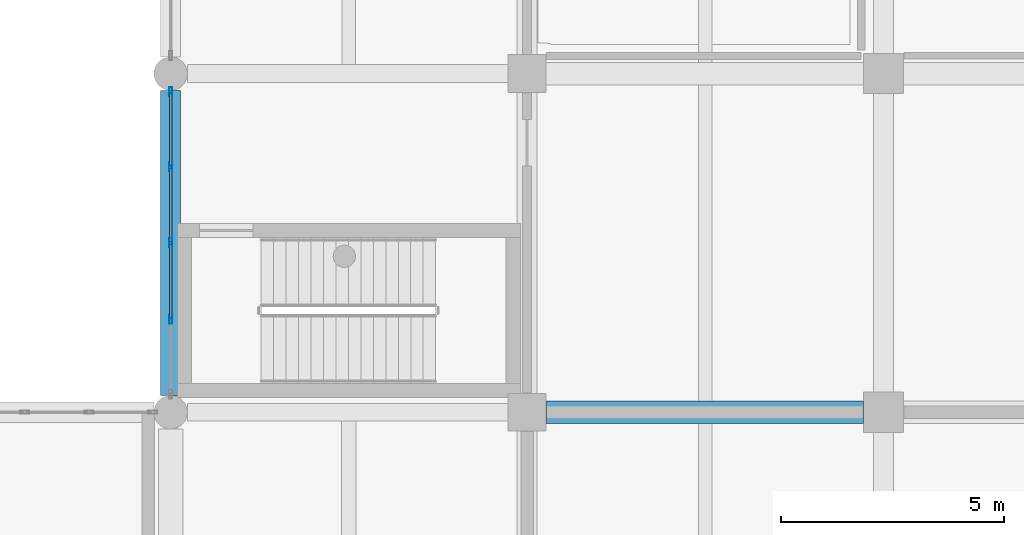
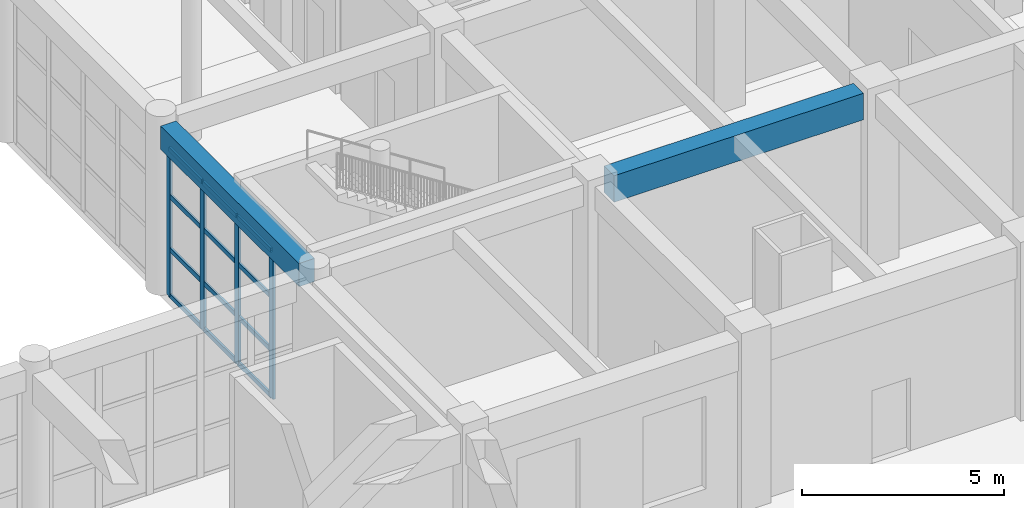
# One storey, part 22 of 95: 16 members, 2 beams, 1 element without a shape of its own.
"""IFC4 building model written with IfcOpenShell, lengths in metres."""

from ifc_helpers import new_model, si_unit, direction, frame, origin, origin_2d, place, context, subcontext, project, spatial, rectangle, hollow_rectangle, extrude, material, material_profile, profile_set, type_object, element, aggregate, save


model = new_model("IFC4")

# Units and contexts
model_context = context("Model", 3, precision=1e-05, world=origin(), true_north=direction((0.0, 1.0)))
body_context = subcontext(model_context, "Body", "Model", "MODEL_VIEW")
ifc_project = project(units=[si_unit("LENGTHUNIT", "METRE"), si_unit("AREAUNIT", "SQUARE_METRE"), si_unit("VOLUMEUNIT", "CUBIC_METRE"), si_unit("PLANEANGLEUNIT", "RADIAN"), si_unit("MASSUNIT", "GRAM", prefix="KILO")], contexts=[model_context])

# Site, building, storey
site_placement = place(None, origin())
site = spatial("IfcSite", under=ifc_project, at=site_placement, CompositionType="ELEMENT")
building_placement = place(site_placement, origin())
building = spatial("IfcBuilding", under=site, at=building_placement, Name="Zantavel Square City Hall", CompositionType="ELEMENT")
storey_placement = place(building_placement, origin())
storey = spatial("IfcBuildingStorey", under=building, at=storey_placement, Name="L01", CompositionType="ELEMENT", Elevation=0.0)

# Curtain wall, members
ifc_material_1 = material(Name="Anodised aluminium 6063-T6", Category="aluminium")
curtain_wall_type = type_object("IfcCurtainWallType", Name="Curtain Wall CRT 6850x4460", PredefinedType="USERDEFINED", material=ifc_material_1)
curtain_wall_placement = place(storey_placement, origin())
curtain_wall = element("IfcCurtainWall", 1, at=curtain_wall_placement, inside=storey, type_object=curtain_wall_type, Name="L01 Glazed Curtain Wall CW-L01-014", ObjectType="GLAZED CURTAIN WALL", PredefinedType="USERDEFINED")
ifc_material_profile_1 = material_profile(ifc_material_1, hollow_rectangle(XDim=0.070068359375, YDim=0.199951171875, WallThickness=0.00439453125, at=origin_2d()), Name="ALU 70x200x4.5")
ifc_profile_set_1 = profile_set([ifc_material_profile_1], Name="Anodised aluminium 6063-T6")
member_type_1 = type_object("IfcMemberType", Name="CW Heavy Hall Mullion ALU 70x200x4.5", PredefinedType="MULLION", material=ifc_profile_set_1)
member_1_placement = place(storey_placement, frame((48.0, 40.08740234375, 0.0), z_axis=(0.0, 0.0, 1.0), x_axis=(-1.0, 0.0, 0.0)))
member_1 = element("IfcMember", 2, at=member_1_placement, type_object=member_type_1, Name="CW-014 mullion 2", PredefinedType="MULLION", context=body_context, shape_type="SweptSolid", body=[
    extrude(hollow_rectangle(XDim=0.070068359375, YDim=0.199951171875, WallThickness=0.00439453125, at=origin_2d()), origin(), (0.0, 0.0, 1.0), 4.4599609375),
])
member_2_placement = place(storey_placement, frame((48.0, 41.800048828125, 0.0), z_axis=(0.0, 0.0, 1.0), x_axis=(-1.0, 0.0, 0.0)))
member_2 = element("IfcMember", 3, at=member_2_placement, type_object=member_type_1, Name="CW-014 mullion 3", PredefinedType="MULLION", context=body_context, shape_type="SweptSolid", body=[
    extrude(hollow_rectangle(XDim=0.070068359375, YDim=0.199951171875, WallThickness=0.00439453125, at=origin_2d()), origin(), (0.0, 0.0, 1.0), 4.4599609375),
])
member_3_placement = place(storey_placement, frame((48.0, 43.512451171875, 0.0), z_axis=(0.0, 0.0, 1.0), x_axis=(-1.0, 0.0, 0.0)))
member_3 = element("IfcMember", 4, at=member_3_placement, type_object=member_type_1, Name="CW-014 mullion 4", PredefinedType="MULLION", context=body_context, shape_type="SweptSolid", body=[
    extrude(hollow_rectangle(XDim=0.070068359375, YDim=0.199951171875, WallThickness=0.00439453125, at=origin_2d()), origin(), (0.0, 0.0, 1.0), 4.4599609375),
])
member_4_placement = place(storey_placement, frame((48.0, 45.195068359375, 0.0), z_axis=(0.0, 0.0, 1.0), x_axis=(-1.0, 0.0, 0.0)))
member_4 = element("IfcMember", 5, at=member_4_placement, type_object=member_type_1, Name="CW-014 mullion 5", PredefinedType="MULLION", context=body_context, shape_type="SweptSolid", body=[
    extrude(hollow_rectangle(XDim=0.070068359375, YDim=0.199951171875, WallThickness=0.00439453125, at=origin_2d()), origin(), (0.0, 0.0, 1.0), 4.4599609375),
])
ifc_material_profile_2 = material_profile(ifc_material_1, hollow_rectangle(XDim=0.06005859375, YDim=0.139892578125, WallThickness=0.00390625, at=origin_2d()), Name="ALU 60x140x4")
ifc_profile_set_2 = profile_set([ifc_material_profile_2], Name="Anodised aluminium 6063-T6")
member_type_2 = type_object("IfcMemberType", Name="CW Transom ALU 60x140x4", PredefinedType="USERDEFINED", material=ifc_profile_set_2)
member_5_placement = place(storey_placement, frame((48.0, 40.117431640625, 0.030029296875), z_axis=(0.0, 1.0, 0.0), x_axis=(-1.0, 0.0, 0.0)))
member_5 = element("IfcMember", 6, at=member_5_placement, type_object=member_type_2, Name="CW-014 transom 2.1", ObjectType="TRANSOM", PredefinedType="USERDEFINED", context=body_context, shape_type="SweptSolid", body=[
    extrude(hollow_rectangle(XDim=0.06005859375, YDim=0.139892578125, WallThickness=0.00390625, at=origin_2d()), origin(), (0.0, 0.0, 1.0), 1.652587890625),
])
member_6_placement = place(storey_placement, frame((48.0, 40.117431640625, 1.427001953125), z_axis=(0.0, 1.0, 0.0), x_axis=(-1.0, 0.0, 0.0)))
member_6 = element("IfcMember", 7, at=member_6_placement, type_object=member_type_2, Name="CW-014 transom 2.2", ObjectType="TRANSOM", PredefinedType="USERDEFINED", context=body_context, shape_type="SweptSolid", body=[
    extrude(hollow_rectangle(XDim=0.06005859375, YDim=0.139892578125, WallThickness=0.00390625, at=origin_2d()), origin(), (0.0, 0.0, 1.0), 1.652587890625),
])
member_7_placement = place(storey_placement, frame((48.0, 40.117431640625, 3.032958984375), z_axis=(0.0, 1.0, 0.0), x_axis=(-1.0, 0.0, 0.0)))
member_7 = element("IfcMember", 8, at=member_7_placement, type_object=member_type_2, Name="CW-014 transom 2.3", ObjectType="TRANSOM", PredefinedType="USERDEFINED", context=body_context, shape_type="SweptSolid", body=[
    extrude(hollow_rectangle(XDim=0.06005859375, YDim=0.139892578125, WallThickness=0.00390625, at=origin_2d()), origin(), (0.0, 0.0, 1.0), 1.652587890625),
])
member_8_placement = place(storey_placement, frame((48.0, 40.117431640625, 4.429931640625), z_axis=(0.0, 1.0, 0.0), x_axis=(-1.0, 0.0, 0.0)))
member_8 = element("IfcMember", 9, at=member_8_placement, type_object=member_type_2, Name="CW-014 transom 2.4", ObjectType="TRANSOM", PredefinedType="USERDEFINED", context=body_context, shape_type="SweptSolid", body=[
    extrude(hollow_rectangle(XDim=0.06005859375, YDim=0.139892578125, WallThickness=0.00390625, at=origin_2d()), origin(), (0.0, 0.0, 1.0), 1.652587890625),
])
member_9_placement = place(storey_placement, frame((48.0, 41.830078125, 0.030029296875), z_axis=(0.0, 1.0, 0.0), x_axis=(-1.0, 0.0, 0.0)))
member_9 = element("IfcMember", 10, at=member_9_placement, type_object=member_type_2, Name="CW-014 transom 3.1", ObjectType="TRANSOM", PredefinedType="USERDEFINED", context=body_context, shape_type="SweptSolid", body=[
    extrude(hollow_rectangle(XDim=0.06005859375, YDim=0.139892578125, WallThickness=0.00390625, at=origin_2d()), origin(), (0.0, 0.0, 1.0), 1.65234375),
])
member_10_placement = place(storey_placement, frame((48.0, 41.830078125, 1.427001953125), z_axis=(0.0, 1.0, 0.0), x_axis=(-1.0, 0.0, 0.0)))
member_10 = element("IfcMember", 11, at=member_10_placement, type_object=member_type_2, Name="CW-014 transom 3.2", ObjectType="TRANSOM", PredefinedType="USERDEFINED", context=body_context, shape_type="SweptSolid", body=[
    extrude(hollow_rectangle(XDim=0.06005859375, YDim=0.139892578125, WallThickness=0.00390625, at=origin_2d()), origin(), (0.0, 0.0, 1.0), 1.65234375),
])
member_11_placement = place(storey_placement, frame((48.0, 41.830078125, 3.032958984375), z_axis=(0.0, 1.0, 0.0), x_axis=(-1.0, 0.0, 0.0)))
member_11 = element("IfcMember", 12, at=member_11_placement, type_object=member_type_2, Name="CW-014 transom 3.3", ObjectType="TRANSOM", PredefinedType="USERDEFINED", context=body_context, shape_type="SweptSolid", body=[
    extrude(hollow_rectangle(XDim=0.06005859375, YDim=0.139892578125, WallThickness=0.00390625, at=origin_2d()), origin(), (0.0, 0.0, 1.0), 1.65234375),
])
member_12_placement = place(storey_placement, frame((48.0, 41.830078125, 4.429931640625), z_axis=(0.0, 1.0, 0.0), x_axis=(-1.0, 0.0, 0.0)))
member_12 = element("IfcMember", 13, at=member_12_placement, type_object=member_type_2, Name="CW-014 transom 3.4", ObjectType="TRANSOM", PredefinedType="USERDEFINED", context=body_context, shape_type="SweptSolid", body=[
    extrude(hollow_rectangle(XDim=0.06005859375, YDim=0.139892578125, WallThickness=0.00390625, at=origin_2d()), origin(), (0.0, 0.0, 1.0), 1.65234375),
])
member_13_placement = place(storey_placement, frame((48.0, 43.54248046875, 0.030029296875), z_axis=(0.0, 1.0, 0.0), x_axis=(-1.0, 0.0, 0.0)))
member_13 = element("IfcMember", 14, at=member_13_placement, type_object=member_type_2, Name="CW-014 transom 4.1", ObjectType="TRANSOM", PredefinedType="USERDEFINED", context=body_context, shape_type="SweptSolid", body=[
    extrude(hollow_rectangle(XDim=0.06005859375, YDim=0.139892578125, WallThickness=0.00390625, at=origin_2d()), origin(), (0.0, 0.0, 1.0), 1.62255859375),
])
member_14_placement = place(storey_placement, frame((48.0, 43.54248046875, 1.427001953125), z_axis=(0.0, 1.0, 0.0), x_axis=(-1.0, 0.0, 0.0)))
member_14 = element("IfcMember", 15, at=member_14_placement, type_object=member_type_2, Name="CW-014 transom 4.2", ObjectType="TRANSOM", PredefinedType="USERDEFINED", context=body_context, shape_type="SweptSolid", body=[
    extrude(hollow_rectangle(XDim=0.06005859375, YDim=0.139892578125, WallThickness=0.00390625, at=origin_2d()), origin(), (0.0, 0.0, 1.0), 1.62255859375),
])
member_15_placement = place(storey_placement, frame((48.0, 43.54248046875, 3.032958984375), z_axis=(0.0, 1.0, 0.0), x_axis=(-1.0, 0.0, 0.0)))
member_15 = element("IfcMember", 16, at=member_15_placement, type_object=member_type_2, Name="CW-014 transom 4.3", ObjectType="TRANSOM", PredefinedType="USERDEFINED", context=body_context, shape_type="SweptSolid", body=[
    extrude(hollow_rectangle(XDim=0.06005859375, YDim=0.139892578125, WallThickness=0.00390625, at=origin_2d()), origin(), (0.0, 0.0, 1.0), 1.62255859375),
])
member_16_placement = place(storey_placement, frame((48.0, 43.54248046875, 4.429931640625), z_axis=(0.0, 1.0, 0.0), x_axis=(-1.0, 0.0, 0.0)))
member_16 = element("IfcMember", 17, at=member_16_placement, type_object=member_type_2, Name="CW-014 transom 4.4", ObjectType="TRANSOM", PredefinedType="USERDEFINED", context=body_context, shape_type="SweptSolid", body=[
    extrude(hollow_rectangle(XDim=0.06005859375, YDim=0.139892578125, WallThickness=0.00390625, at=origin_2d()), origin(), (0.0, 0.0, 1.0), 1.62255859375),
])
aggregate(curtain_wall, [member_1, member_2, member_3, member_4, member_5, member_6, member_7, member_8, member_9, member_10, member_11, member_12, member_13, member_14, member_15, member_16])

# Beams
ifc_material_2 = material(Name="Concrete C35/45", Category="concrete")
ifc_material_profile_3 = material_profile(ifc_material_2, rectangle(XDim=0.449951171875, YDim=0.699951171875, at=origin_2d()), Name="RC 450x700")
ifc_profile_set_3 = profile_set([ifc_material_profile_3], Name="Concrete C35/45")
beam_type_1 = type_object("IfcBeamType", Name="Primary Girder RC 450x700 C35/45", PredefinedType="BEAM", material=ifc_profile_set_3)
beam_1_placement = place(storey_placement, frame((48.0, 38.375, 4.81005859375), z_axis=(0.0, 1.0, 0.0), x_axis=(-1.0, 0.0, 0.0)))
element("IfcBeam", 18, at=beam_1_placement, inside=storey, type_object=beam_type_1, Name="L01 Beam BMY-L01-0480-0380", PredefinedType="BEAM", context=body_context, shape_type="SweptSolid", body=[
    extrude(rectangle(XDim=0.449951171875, YDim=0.699951171875, at=origin_2d()), origin(), (0.0, 0.0, 1.0), 6.85009765625),
])
ifc_material_profile_4 = material_profile(ifc_material_2, rectangle(XDim=0.5, YDim=0.800048828125, at=origin_2d()), Name="RC 500x800")
ifc_profile_set_4 = profile_set([ifc_material_profile_4], Name="Concrete C35/45")
beam_type_2 = type_object("IfcBeamType", Name="Primary Girder RC 500x800 C35/45", PredefinedType="BEAM", material=ifc_profile_set_4)
beam_2_placement = place(storey_placement, frame((56.425048828125, 38.0, 4.760009765625), z_axis=(1.0, 0.0, 0.0), x_axis=(0.0, 1.0, 0.0)))
element("IfcBeam", 19, at=beam_2_placement, inside=storey, type_object=beam_type_2, Name="L01 Girder BMX-L01-0560-0380", PredefinedType="BEAM", context=body_context, shape_type="SweptSolid", body=[
    extrude(rectangle(XDim=0.5, YDim=0.800048828125, at=origin_2d()), origin(), (0.0, 0.0, 1.0), 7.125),
])

save(model, "model.ifc")
